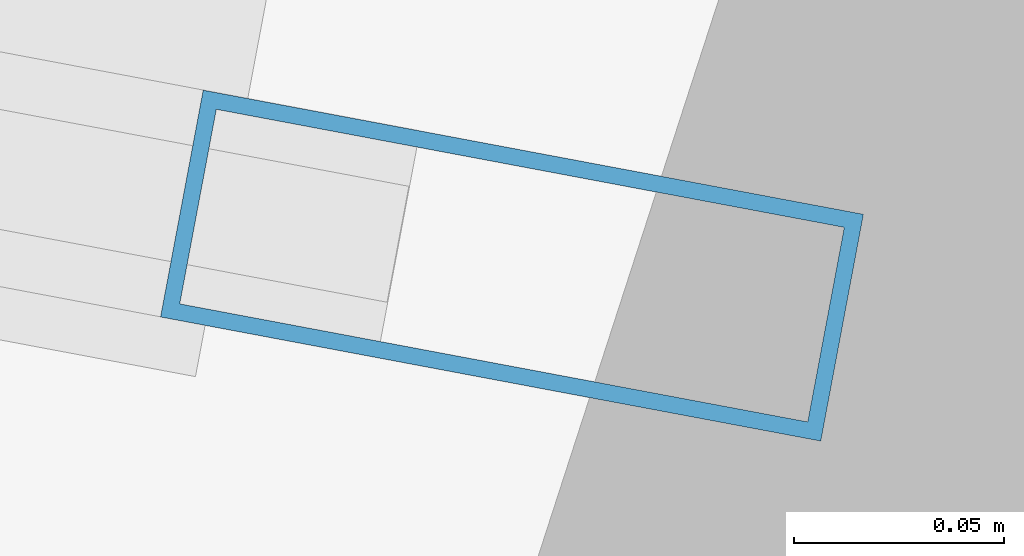
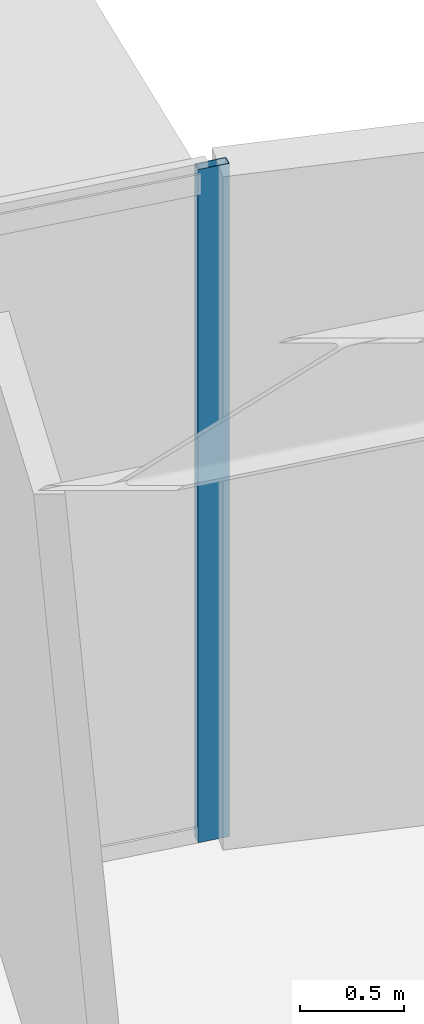
# One storey, part 12 of 35: 1 member, 1 element without a shape of its own.
"""IFC4 building model written with IfcOpenShell, lengths in metres."""

import ifcopenshell
import ifcopenshell.guid

model = None  # the IFC model being written
_history = None  # IfcOwnerHistory: only IFC2X3 demands one
_inside = {}  # id of a spatial element -> (the spatial element, [elements in it])
_under = {}  # id of a project, library or spatial element -> (it, [spatial elements below it])
_declared = {}  # id of a project -> (the project, [libraries it declares])
_typed = {}  # id of a type object -> (the type object, [elements of that type])
_made_of = {}  # id of a material, layer set ... -> (it, [elements and type objects made of it])


def new_model(schema):
    """Start an empty IFC model of exactly this schema.

    Asked for "IFC4X3", IfcOpenShell would pick the latest addendum, in which some entities
    have other attributes; the version numbers below select the first issue.
    IFC2X3 requires an IfcOwnerHistory on every rooted entity: one is made here for all.
    """
    global model, _history
    if schema == "IFC4X3":
        model = ifcopenshell.file(schema_version=(4, 3, 0, 0))
    else:
        model = ifcopenshell.file(schema=schema)
    _inside.clear()
    _under.clear()
    _declared.clear()
    _typed.clear()
    _made_of.clear()
    _history = None
    if model.schema == "IFC2X3":
        org = make("IfcOrganization", Name="unknown")
        user = make(
            "IfcPersonAndOrganization",
            ThePerson=make("IfcPerson", FamilyName="unknown"),
            TheOrganization=org,
        )
        app = make(
            "IfcApplication",
            ApplicationDeveloper=org,
            Version="unknown",
            ApplicationFullName="unknown",
            ApplicationIdentifier="unknown",
        )
        _history = make(
            "IfcOwnerHistory",
            OwningUser=user,
            OwningApplication=app,
            ChangeAction="ADDED",
            CreationDate=0,
        )
    return model


def make(cls, **values):
    """One entity of the class cls with the attributes given. An attribute that is None is left unset."""
    return model.create_entity(
        cls, **{name: value for name, value in values.items() if value is not None}
    )


def rooted(cls, **values):
    """An entity with a GlobalId (a new one), such as an element, a storey or a relation."""
    return make(cls, GlobalId=ifcopenshell.guid.new(), OwnerHistory=_history, **values)


def si_unit(unit_type, name, prefix=None):
    """IfcSIUnit, for example si_unit("LENGTHUNIT", "METRE", prefix="MILLI")."""
    return make("IfcSIUnit", UnitType=unit_type, Prefix=prefix, Name=name)


def assignment(units):
    """IfcUnitAssignment: the units of a project."""
    return None if units is None else make("IfcUnitAssignment", Units=units)


def point(xyz):
    """IfcCartesianPoint."""
    return None if xyz is None else make("IfcCartesianPoint", Coordinates=xyz)


def direction(xyz):
    """IfcDirection."""
    return None if xyz is None else make("IfcDirection", DirectionRatios=xyz)


def frame(location, z_axis=None, x_axis=None):
    """IfcAxis2Placement3D, a coordinate frame: its origin and axes. An axis left out is left unset."""
    return make(
        "IfcAxis2Placement3D",
        Location=point(location),
        Axis=direction(z_axis),
        RefDirection=direction(x_axis),
    )


def frame_2d(location, x_axis=None):
    """IfcAxis2Placement2D, a coordinate frame in the plane: its origin and x axis."""
    return make(
        "IfcAxis2Placement2D", Location=point(location), RefDirection=direction(x_axis)
    )


def origin():
    """The frame at (0, 0, 0) with its axes left unset."""
    return frame((0.0, 0.0, 0.0))


def origin_2d():
    """The frame at (0, 0) in the plane with its x axis left unset."""
    return frame_2d((0.0, 0.0))


def place(relative_to, where):
    """IfcLocalPlacement: puts the frame where relative to a parent placement (None: the world)."""
    return make(
        "IfcLocalPlacement", PlacementRelTo=relative_to, RelativePlacement=where
    )


def context(
    kind, dimensions, precision=None, world=None, true_north=None, identifier=None
):
    """IfcGeometricRepresentationContext, for example the 3D "Model" context."""
    return make(
        "IfcGeometricRepresentationContext",
        ContextIdentifier=identifier,
        ContextType=kind,
        CoordinateSpaceDimension=dimensions,
        Precision=precision,
        WorldCoordinateSystem=world,
        TrueNorth=true_north,
    )


def subcontext(parent, identifier, kind, view, scale=None):
    """IfcGeometricRepresentationSubContext, for example "Body" below "Model"."""
    return make(
        "IfcGeometricRepresentationSubContext",
        ContextIdentifier=identifier,
        ContextType=kind,
        ParentContext=parent,
        TargetScale=scale,
        TargetView=view,
    )


def project(units=None, contexts=None):
    """IfcProject with its units and contexts."""
    return rooted(
        "IfcProject",
        Name="project",
        RepresentationContexts=contexts,
        UnitsInContext=assignment(units),
    )


def spatial(cls, under=None, at=None, **own):
    """A site, building, storey or space (cls), placed at a placement, below another one or the project."""
    s = rooted(cls, ObjectPlacement=at, **own)
    if under is not None:
        _under.setdefault(under.id(), (under, []))[1].append(s)
    return s


def profile(cls, at=None, kind="AREA", **sizes):
    """A parametric profile (cls). Its sizes go by their IFC names, for example OverallWidth=200.0."""
    return make(cls, ProfileType=kind, Position=at, **sizes)


def hollow_rectangle(**sizes):
    """IfcRectangleHollowProfileDef."""
    return profile("IfcRectangleHollowProfileDef", **sizes)


def extrude(swept, where, along, depth):
    """IfcExtrudedAreaSolid: the profile swept, set in the frame where, extruded along a direction by depth."""
    return make(
        "IfcExtrudedAreaSolid",
        SweptArea=swept,
        Position=where,
        ExtrudedDirection=direction(along),
        Depth=depth,
    )


def shape(context_of_items, identifier, shape_type, items):
    """IfcShapeRepresentation: the items that make up one representation, for example the "Body"."""
    return make(
        "IfcShapeRepresentation",
        ContextOfItems=context_of_items,
        RepresentationIdentifier=identifier,
        RepresentationType=shape_type,
        Items=items,
    )


def source(mapping_origin, context_of_items, identifier, shape_type, items):
    """IfcRepresentationMap: a shape defined once, which mapped items show again and again."""
    return make(
        "IfcRepresentationMap",
        MappingOrigin=mapping_origin,
        MappedRepresentation=shape(context_of_items, identifier, shape_type, items),
    )


def transform(
    local_origin,
    x_axis=None,
    y_axis=None,
    z_axis=None,
    scale=None,
    scale2=None,
    scale3=None,
    uniform=True,
):
    """IfcCartesianTransformationOperator3D, or its non-uniform kind. x_axis, y_axis, z_axis: its Axis1, 2, 3."""
    if uniform:
        return make(
            "IfcCartesianTransformationOperator3D",
            Axis1=direction(x_axis),
            Axis2=direction(y_axis),
            LocalOrigin=point(local_origin),
            Scale=scale,
            Axis3=direction(z_axis),
        )
    return make(
        "IfcCartesianTransformationOperator3DnonUniform",
        Axis1=direction(x_axis),
        Axis2=direction(y_axis),
        LocalOrigin=point(local_origin),
        Scale=scale,
        Axis3=direction(z_axis),
        Scale2=scale2,
        Scale3=scale3,
    )


def mapped(mapping_source, mapping_target):
    """IfcMappedItem: shows the shape of a source again, moved by a transform."""
    return make(
        "IfcMappedItem", MappingSource=mapping_source, MappingTarget=mapping_target
    )


def material(Name=None, Category=None):
    """IfcMaterial."""
    return make("IfcMaterial", Name=Name, Category=Category)


def layer(
    of_material, thickness, ventilated=None, Name=None, Category=None, Priority=None
):
    """IfcMaterialLayer: one layer of a wall or slab, of a material (None: an air gap)."""
    return make(
        "IfcMaterialLayer",
        Material=of_material,
        LayerThickness=thickness,
        IsVentilated=ventilated,
        Name=Name,
        Category=Category,
        Priority=Priority,
    )


def layer_set(layers, Name=None):
    """IfcMaterialLayerSet."""
    return make("IfcMaterialLayerSet", MaterialLayers=layers, LayerSetName=Name)


def material_profile(
    of_material, cross_section, Name=None, Category=None, Priority=None
):
    """IfcMaterialProfile: a cross section and its material."""
    return make(
        "IfcMaterialProfile",
        Name=Name,
        Material=of_material,
        Profile=cross_section,
        Priority=Priority,
        Category=Category,
    )


def profile_set(profiles, Name=None, composite=None):
    """IfcMaterialProfileSet."""
    return make(
        "IfcMaterialProfileSet",
        Name=Name,
        MaterialProfiles=profiles,
        CompositeProfile=composite,
    )


def made_of(thing, what):
    """Note that an element or type object is made of a material, layer set ...; save() writes the relation."""
    if what is not None:
        _made_of.setdefault(what.id(), (what, []))[1].append(thing)
    return thing


def type_object(cls, material=None, **own):
    """A type object (cls), such as IfcWallType, which elements share."""
    return made_of(rooted(cls, **own), material)


def element(
    cls,
    number,
    at=None,
    inside=None,
    cuts=None,
    type_object=None,
    material=None,
    context=None,
    identifier="Body",
    shape_type=None,
    held_by="IfcProductDefinitionShape",
    body=None,
    shapes=None,
    **own,
):
    """One element of the class cls, such as IfcWall. Its Tag is "e" and its number.

    at: its placement. inside: the storey or other place that contains it. cuts: it is an
    opening in that element (IfcRelVoidsElement). A single representation is given by context,
    identifier, shape_type and body (its items); several are given by shapes. held_by: the class
    of the entity that holds the representations. save() writes the other relations.
    """
    e = rooted(cls, Tag="e%d" % number, ObjectPlacement=at, **own)
    if body is not None:
        shapes = [shape(context, identifier, shape_type, body)]
    if shapes is not None:
        e.Representation = make(held_by, Representations=shapes)
    if inside is not None:
        _inside.setdefault(inside.id(), (inside, []))[1].append(e)
    if cuts is not None:
        rooted(
            "IfcRelVoidsElement", RelatingBuildingElement=cuts, RelatedOpeningElement=e
        )
    if type_object is not None:
        _typed.setdefault(type_object.id(), (type_object, []))[1].append(e)
    return made_of(e, material)


def aggregate(whole, parts):
    """IfcRelAggregates: a whole, such as a stair, and the parts it consists of."""
    return rooted("IfcRelAggregates", RelatingObject=whole, RelatedObjects=parts)


def save(model, path):
    """Write the relations noted so far, then the file.

    IfcRelAggregates (storeys below a building ...), IfcRelContainedInSpatialStructure (elements
    in a storey), IfcRelDefinesByType, IfcRelAssociatesMaterial and IfcRelDeclares: one each for
    every whole, place, type object, material and project.
    """
    for whole, parts in _under.values():
        aggregate(whole, parts)
    for where, things in _inside.values():
        rooted(
            "IfcRelContainedInSpatialStructure",
            RelatedElements=things,
            RelatingStructure=where,
        )
    for kind, things in _typed.values():
        rooted("IfcRelDefinesByType", RelatedObjects=things, RelatingType=kind)
    for what, things in _made_of.values():
        rooted("IfcRelAssociatesMaterial", RelatedObjects=things, RelatingMaterial=what)
    for by, libraries in _declared.values():
        rooted("IfcRelDeclares", RelatingContext=by, RelatedDefinitions=libraries)
    model.write(path)


model = new_model("IFC4")

# Units and contexts
model_context = context("Model", 3, precision=1e-05, world=origin(), true_north=direction((0.0, 1.0)))
body_context = subcontext(model_context, "Body", "Model", "MODEL_VIEW")
ifc_project = project(units=[si_unit("LENGTHUNIT", "METRE"), si_unit("AREAUNIT", "SQUARE_METRE"), si_unit("VOLUMEUNIT", "CUBIC_METRE"), si_unit("PLANEANGLEUNIT", "RADIAN"), si_unit("MASSUNIT", "GRAM", prefix="KILO")], contexts=[model_context])

# Site, building, storey
site_placement = place(None, origin())
site = spatial("IfcSite", under=ifc_project, at=site_placement, CompositionType="ELEMENT")
building_placement = place(site_placement, origin())
building = spatial("IfcBuilding", under=site, at=building_placement, Name="Linh Dai School and Residence Tower", CompositionType="ELEMENT")
storey_placement = place(building_placement, frame((0.0, 0.0, 32.39990234375)))
storey = spatial("IfcBuildingStorey", under=building, at=storey_placement, Name="L07", CompositionType="ELEMENT", Elevation=32.39990234375)

# Curtain wall, member
ifc_material_1 = material(Name="Aluminium Anodised Curtain Wall", Category="aluminium")
ifc_layer = layer(ifc_material_1, 0.159912109375)
ifc_layer_set = layer_set([ifc_layer], Name="Aluminium Anodised Curtain Wall")
curtain_wall_type = type_object("IfcCurtainWallType", Name="CW-SYS-3", PredefinedType="USERDEFINED", material=ifc_layer_set)
curtain_wall_placement = place(storey_placement, origin())
curtain_wall = element("IfcCurtainWall", 1, at=curtain_wall_placement, inside=storey, type_object=curtain_wall_type, Name="L07 CW3 Curtain Wall 09", ObjectType="RIBBON CURTAIN WALL", PredefinedType="USERDEFINED")
ifc_material_2 = material(Name="Aluminium Alloy 6063-T6", Category="aluminium")
ifc_material_profile = material_profile(ifc_material_2, hollow_rectangle(XDim=0.054931640625, YDim=0.159912109375, WallThickness=0.00390625, at=origin_2d()), Name="RHS 160x55x4")
ifc_profile_set = profile_set([ifc_material_profile], Name="Aluminium Alloy 6063-T6")
member_type = type_object("IfcMemberType", Name="CW-SYS-3-MUL", PredefinedType="MULLION", material=ifc_profile_set)
shared_shape = source(origin(), body_context, "Body", "SweptSolid", [
    extrude(hollow_rectangle(XDim=0.054931640625, YDim=0.159912109375, WallThickness=0.00390625, at=origin_2d()), origin(), (0.0, 0.0, 1.0), 3.9501953125),
])
member_placement = place(storey_placement, frame((45.58349609375, 50.1181640625, 0.0), z_axis=(0.0, 0.0, 1.0), x_axis=(0.184747948944, 0.982785935675, 0.0)))
member = element("IfcMember", 2, at=member_placement, type_object=member_type, Name="CW3 mullion 3", PredefinedType="MULLION", context=body_context, shape_type="MappedRepresentation", body=[
    mapped(shared_shape, transform((0.0, 0.0, 0.0), x_axis=(1.0, 0.0, 0.0), y_axis=(0.0, 1.0, 0.0), z_axis=(0.0, 0.0, 1.0), scale=1.0)),
])
aggregate(curtain_wall, [member])

save(model, "model.ifc")
